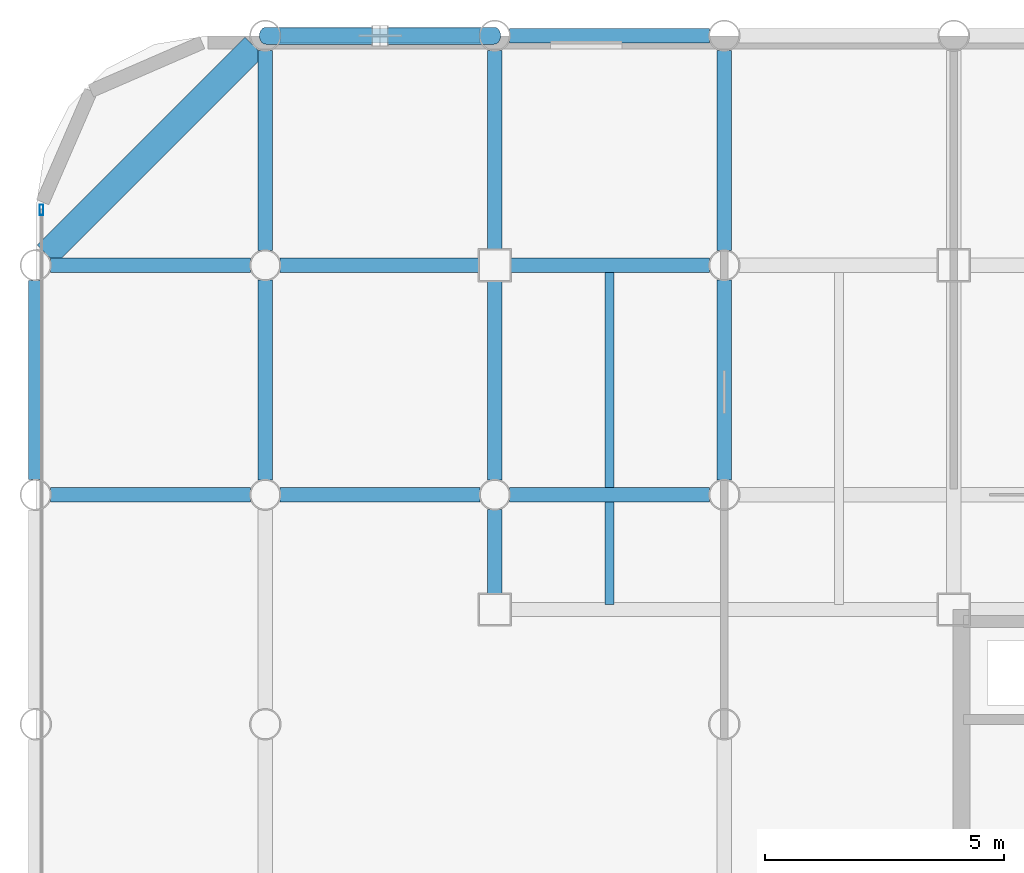
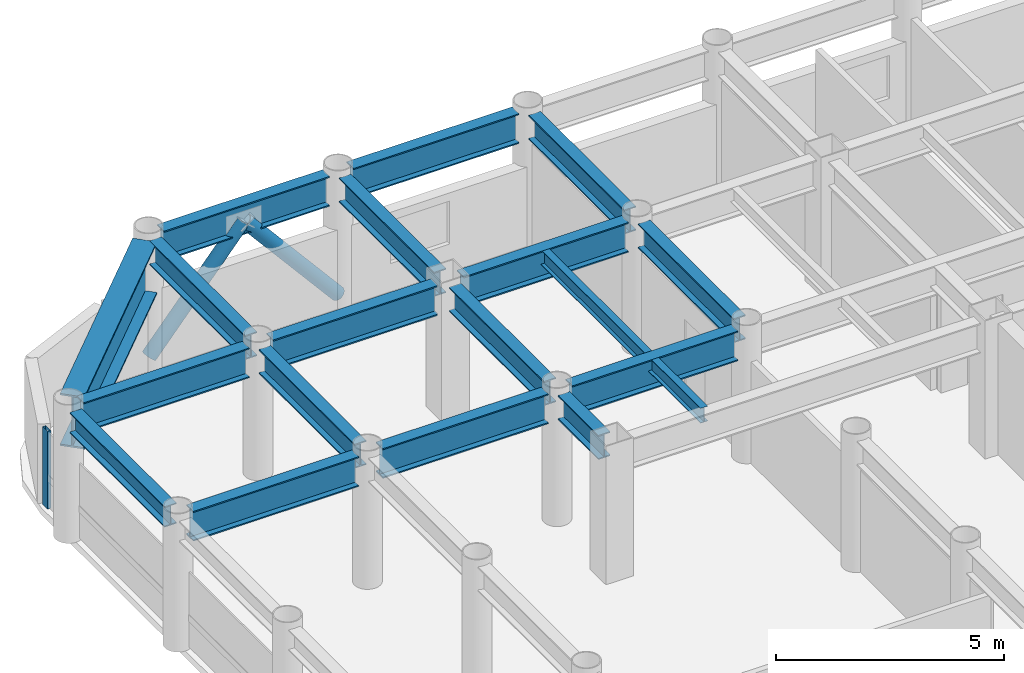
# One storey, part 9 of 19: 18 beams, 3 members, 1 element without a shape of its own.
"""IFC4 building model written with IfcOpenShell, lengths in metres."""

from ifc_helpers import new_model, si_unit, direction, frame, origin, origin_2d, place, context, subcontext, project, spatial, hollow_rectangle, hollow_circle, i_section, extrude, material, layer, layer_set, material_profile, profile_set, type_object, element, aggregate, save


model = new_model("IFC4")

# Units and contexts
model_context = context("Model", 3, precision=1e-05, world=origin(), true_north=direction((0.0, 1.0)))
body_context = subcontext(model_context, "Body", "Model", "MODEL_VIEW")
ifc_project = project(units=[si_unit("LENGTHUNIT", "METRE"), si_unit("AREAUNIT", "SQUARE_METRE"), si_unit("VOLUMEUNIT", "CUBIC_METRE"), si_unit("PLANEANGLEUNIT", "RADIAN"), si_unit("MASSUNIT", "GRAM", prefix="KILO")], contexts=[model_context])

# Site, building, storey
site_placement = place(None, origin())
site = spatial("IfcSite", under=ifc_project, at=site_placement, CompositionType="ELEMENT")
building_placement = place(site_placement, origin())
building = spatial("IfcBuilding", under=site, at=building_placement, Name="Kallvorn Hotel Tower", CompositionType="ELEMENT")
storey_placement = place(building_placement, frame((0.0, 0.0, 169.199951171875)))
storey = spatial("IfcBuildingStorey", under=building, at=storey_placement, Name="L42", CompositionType="ELEMENT", Elevation=169.199951171875)

# Beams
ifc_material_1 = material(Name="Structural steel S355JR", Category="steel")
ifc_material_profile_1 = material_profile(ifc_material_1, i_section(OverallWidth=0.300048828125, OverallDepth=0.550048828125, WebThickness=0.014892578125, FlangeThickness=0.029052734375, at=origin_2d()), Name="HE 550 B")
ifc_profile_set_1 = profile_set([ifc_material_profile_1], Name="Structural steel S355JR")
beam_type_1 = type_object("IfcBeamType", Name="BM_HE550B", PredefinedType="SPANDREL", material=ifc_profile_set_1)
beam_1_placement = place(storey_placement, frame((-33.60009765625, 9.919921875, 3.2451171875), z_axis=(0.0, 1.0, 0.0), x_axis=(-1.0, 0.0, 0.0)))
element("IfcBeam", 1, at=beam_1_placement, inside=storey, type_object=beam_type_1, Name="L43 Perimeter Spandrel 180", PredefinedType="SPANDREL", context=body_context, shape_type="SweptSolid", body=[
    extrude(i_section(OverallWidth=0.300048828125, OverallDepth=0.550048828125, WebThickness=0.014892578125, FlangeThickness=0.029052734375, at=origin_2d()), origin(), (0.0, 0.0, 1.0), 4.16015625),
])
ifc_material_2 = material(Name="Structural steel S355JR", Category="steel")
ifc_material_profile_2 = material_profile(ifc_material_2, i_section(OverallWidth=0.300048828125, OverallDepth=0.64990234375, WebThickness=0.01611328125, FlangeThickness=0.031005859375, at=origin_2d()), Name="HE 650 B")
ifc_profile_set_2 = profile_set([ifc_material_profile_2], Name="Structural steel S355JR")
beam_type_2 = type_object("IfcBeamType", Name="BM_HE650B", PredefinedType="BEAM", material=ifc_profile_set_2)
for number, where, z_axis, x_axis, name in (
    (2, (-28.800048828125, 9.905029296875, 3.195068359375), (0.0, 1.0, 0.0), (-1.0, 0.0, 0.0), "L43 Primary Y-Girder 80"),
    (3, (-28.800048828125, 14.705078125, 3.195068359375), (0.0, 1.0, 0.0), (-1.0, 0.0, 0.0), "L43 Primary Y-Girder 81"),
):
    element("IfcBeam", number, at=place(storey_placement, frame(where, z_axis=z_axis, x_axis=x_axis)), inside=storey, type_object=beam_type_2, Name=name, PredefinedType="BEAM", context=body_context, shape_type="SweptSolid", body=[
        extrude(i_section(OverallWidth=0.300048828125, OverallDepth=0.64990234375, WebThickness=0.01611328125, FlangeThickness=0.031005859375, at=origin_2d()), origin(), (0.0, 0.0, 1.0), 4.18994140625),
    ])
beam_2_placement = place(storey_placement, frame((-24.0, 7.52490234375, 3.195068359375), z_axis=(0.0, 1.0, 0.0), x_axis=(-1.0, 0.0, 0.0)))
element("IfcBeam", 4, at=beam_2_placement, inside=storey, type_object=beam_type_2, Name="L43 Primary Y-Girder 86", PredefinedType="BEAM", context=body_context, shape_type="SweptSolid", body=[
    extrude(i_section(OverallWidth=0.300048828125, OverallDepth=0.64990234375, WebThickness=0.01611328125, FlangeThickness=0.031005859375, at=origin_2d()), origin(), (0.0, 0.0, 1.0), 1.77001953125),
])
for number, where, z_axis, x_axis, name in (
    (5, (-24.0, 9.905029296875, 3.195068359375), (0.0, 1.0, 0.0), (-1.0, 0.0, 0.0), "L43 Primary Y-Girder 87"),
    (6, (-24.0, 14.72509765625, 3.195068359375), (0.0, 1.0, 0.0), (-1.0, 0.0, 0.0), "L43 Primary Y-Girder 88"),
):
    element("IfcBeam", number, at=place(storey_placement, frame(where, z_axis=z_axis, x_axis=x_axis)), inside=storey, type_object=beam_type_2, Name=name, PredefinedType="BEAM", context=body_context, shape_type="SweptSolid", body=[
        extrude(i_section(OverallWidth=0.300048828125, OverallDepth=0.64990234375, WebThickness=0.01611328125, FlangeThickness=0.031005859375, at=origin_2d()), origin(), (0.0, 0.0, 1.0), 4.169921875),
    ])
for number, where, z_axis, x_axis, name in (
    (7, (-19.199951171875, 9.905029296875, 3.195068359375), (0.0, 1.0, 0.0), (-1.0, 0.0, 0.0), "L43 Primary Y-Girder 96"),
    (8, (-19.199951171875, 14.705078125, 3.195068359375), (0.0, 1.0, 0.0), (-1.0, 0.0, 0.0), "L43 Primary Y-Girder 97"),
):
    element("IfcBeam", number, at=place(storey_placement, frame(where, z_axis=z_axis, x_axis=x_axis)), inside=storey, type_object=beam_type_2, Name=name, PredefinedType="BEAM", context=body_context, shape_type="SweptSolid", body=[
        extrude(i_section(OverallWidth=0.300048828125, OverallDepth=0.64990234375, WebThickness=0.01611328125, FlangeThickness=0.031005859375, at=origin_2d()), origin(), (0.0, 0.0, 1.0), 4.18994140625),
    ])
ifc_material_3 = material(Name="Structural steel S355JR", Category="steel")
ifc_material_profile_3 = material_profile(ifc_material_3, i_section(OverallWidth=0.300048828125, OverallDepth=0.800048828125, WebThickness=0.017578125, FlangeThickness=0.032958984375, at=origin_2d()), Name="HE 800 B")
ifc_profile_set_3 = profile_set([ifc_material_profile_3], Name="Structural steel S355JR")
beam_type_3 = type_object("IfcBeamType", Name="BM_HE800B", PredefinedType="BEAM", material=ifc_profile_set_3)
beam_3_placement = place(storey_placement, frame((-33.294921875, 9.60009765625, 3.1201171875), z_axis=(1.0, 0.0, 0.0), x_axis=(0.0, 1.0, 0.0)))
element("IfcBeam", 9, at=beam_3_placement, inside=storey, type_object=beam_type_3, Name="L43 Primary X-Girder 42", PredefinedType="BEAM", context=body_context, shape_type="SweptSolid", body=[
    extrude(i_section(OverallWidth=0.300048828125, OverallDepth=0.800048828125, WebThickness=0.017578125, FlangeThickness=0.032958984375, at=origin_2d()), origin(), (0.0, 0.0, 1.0), 4.18994140625),
])
for number, where, z_axis, x_axis, name in (
    (10, (-28.4951171875, 9.60009765625, 3.1201171875), (1.0, 0.0, 0.0), (0.0, 1.0, 0.0), "L43 Primary X-Girder 43"),
    (11, (-23.695068359375, 9.60009765625, 3.1201171875), (1.0, 0.0, 0.0), (0.0, 1.0, 0.0), "L43 Primary X-Girder 44"),
):
    element("IfcBeam", number, at=place(storey_placement, frame(where, z_axis=z_axis, x_axis=x_axis)), inside=storey, type_object=beam_type_3, Name=name, PredefinedType="BEAM", context=body_context, shape_type="SweptSolid", body=[
        extrude(i_section(OverallWidth=0.300048828125, OverallDepth=0.800048828125, WebThickness=0.017578125, FlangeThickness=0.032958984375, at=origin_2d()), origin(), (0.0, 0.0, 1.0), 4.190185546875),
    ])
beam_4_placement = place(storey_placement, frame((-33.294921875, 14.39990234375, 3.1201171875), z_axis=(1.0, 0.0, 0.0), x_axis=(0.0, 1.0, 0.0)))
element("IfcBeam", 12, at=beam_4_placement, inside=storey, type_object=beam_type_3, Name="L43 Primary X-Girder 51", PredefinedType="BEAM", context=body_context, shape_type="SweptSolid", body=[
    extrude(i_section(OverallWidth=0.300048828125, OverallDepth=0.800048828125, WebThickness=0.017578125, FlangeThickness=0.032958984375, at=origin_2d()), origin(), (0.0, 0.0, 1.0), 4.18994140625),
])
for number, where, z_axis, x_axis, name in (
    (13, (-28.4951171875, 14.39990234375, 3.1201171875), (1.0, 0.0, 0.0), (0.0, 1.0, 0.0), "L43 Primary X-Girder 52"),
    (14, (-23.675048828125, 14.39990234375, 3.1201171875), (1.0, 0.0, 0.0), (0.0, 1.0, 0.0), "L43 Primary X-Girder 53"),
):
    element("IfcBeam", number, at=place(storey_placement, frame(where, z_axis=z_axis, x_axis=x_axis)), inside=storey, type_object=beam_type_3, Name=name, PredefinedType="BEAM", context=body_context, shape_type="SweptSolid", body=[
        extrude(i_section(OverallWidth=0.300048828125, OverallDepth=0.800048828125, WebThickness=0.017578125, FlangeThickness=0.032958984375, at=origin_2d()), origin(), (0.0, 0.0, 1.0), 4.170166015625),
    ])
for number, where, z_axis, x_axis, name in (
    (15, (-28.4951171875, 19.199951171875, 3.1201171875), (1.0, 0.0, 0.0), (0.0, 1.0, 0.0), "L43 Primary X-Girder 61"),
    (16, (-23.695068359375, 19.199951171875, 3.1201171875), (1.0, 0.0, 0.0), (0.0, 1.0, 0.0), "L43 Primary X-Girder 62"),
):
    element("IfcBeam", number, at=place(storey_placement, frame(where, z_axis=z_axis, x_axis=x_axis)), inside=storey, type_object=beam_type_3, Name=name, PredefinedType="BEAM", context=body_context, shape_type="SweptSolid", body=[
        extrude(i_section(OverallWidth=0.300048828125, OverallDepth=0.800048828125, WebThickness=0.017578125, FlangeThickness=0.032958984375, at=origin_2d()), origin(), (0.0, 0.0, 1.0), 4.190185546875),
    ])
ifc_material_4 = material(Name="Structural steel S355JR", Category="steel")
ifc_material_profile_4 = material_profile(ifc_material_4, i_section(OverallWidth=0.179931640625, OverallDepth=0.39990234375, WebThickness=0.008544921875, FlangeThickness=0.013427734375, at=origin_2d()), Name="IPE 400")
ifc_profile_set_4 = profile_set([ifc_material_profile_4], Name="Structural steel S355JR")
beam_type_4 = type_object("IfcBeamType", Name="BM_IPE400", PredefinedType="JOIST", material=ifc_profile_set_4)
beam_5_placement = place(storey_placement, frame((-21.60009765625, 7.300048828125, 3.320068359375), z_axis=(0.0, 1.0, 0.0), x_axis=(-1.0, 0.0, 0.0)))
element("IfcBeam", 17, at=beam_5_placement, inside=storey, type_object=beam_type_4, Name="L43 Secondary Composite Joist 193", PredefinedType="JOIST", context=body_context, shape_type="SweptSolid", body=[
    extrude(i_section(OverallWidth=0.179931640625, OverallDepth=0.39990234375, WebThickness=0.008544921875, FlangeThickness=0.013427734375, at=origin_2d()), origin(), (0.0, 0.0, 1.0), 7.0),
])
ifc_material_5 = material(Name="Structural steel S355JR", Category="steel")
ifc_material_profile_5 = material_profile(ifc_material_5, i_section(OverallWidth=0.550048828125, OverallDepth=1.39990234375, WebThickness=0.02490234375, FlangeThickness=0.044921875, at=origin_2d()), Name="PG 1400x550x25x45")
ifc_profile_set_5 = profile_set([ifc_material_profile_5], Name="Structural steel S355JR")
beam_type_5 = type_object("IfcBeamType", Name="BM_PG_1400", PredefinedType="BEAM", material=ifc_profile_set_5)
beam_6_placement = place(storey_placement, frame((-33.373779296875, 14.626220703125, 2.820068359375), z_axis=(0.707106781187, 0.707106781187, 0.0), x_axis=(-0.707106781187, 0.707106781187, 0.0)))
element("IfcBeam", 18, at=beam_6_placement, inside=storey, type_object=beam_type_5, Name="L43 Rounded Corner Tie Beam 190", PredefinedType="BEAM", context=body_context, shape_type="SweptSolid", body=[
    extrude(i_section(OverallWidth=0.550048828125, OverallDepth=1.39990234375, WebThickness=0.02490234375, FlangeThickness=0.044921875, at=origin_2d()), origin(), (0.0, 0.0, 1.0), 6.148193359375),
])

# Curtain wall, member
ifc_material_6 = material(Name="Thermally broken black-anodised aluminium AA 6063-T6", Category="aluminium")
ifc_layer = layer(ifc_material_6, 0.2099609375)
ifc_layer_set = layer_set([ifc_layer], Name="CW_SYS_4_HOTEL_MID")
curtain_wall_type = type_object("IfcCurtainWallType", Name="CW_SYS_4_HOTEL_MID", PredefinedType="USERDEFINED", material=ifc_layer_set)
curtain_wall_placement = place(storey_placement, origin())
curtain_wall = element("IfcCurtainWall", 19, at=curtain_wall_placement, inside=storey, type_object=curtain_wall_type, Name="L42 Dark-Glass Curtain Wall CW-L42-WN", ObjectType="UNITISED CURTAIN WALL", PredefinedType="USERDEFINED")
ifc_material_7 = material(Name="Thermally broken black-anodised aluminium AA 6063-T6", Category="aluminium")
ifc_material_profile_6 = material_profile(ifc_material_7, hollow_rectangle(XDim=0.080078125, YDim=0.219970703125, WallThickness=0.0048828125, at=origin_2d()), Name="MUL 220x80")
ifc_profile_set_6 = profile_set([ifc_material_profile_6], Name="Thermally broken black-anodised aluminium AA 6063-T6")
member_type_1 = type_object("IfcMemberType", Name="CW_MULLION_220x80", PredefinedType="MULLION", material=ifc_profile_set_6)
member_placement = place(storey_placement, frame((-33.47998046875, 15.56005859375, 0.02001953125), z_axis=(0.0, 0.0, 1.0), x_axis=(1.0, 0.0, 0.0)))
member = element("IfcMember", 20, at=member_placement, type_object=member_type_1, Name="CW-L42-WN Mullion 01", PredefinedType="MULLION", context=body_context, shape_type="SweptSolid", body=[
    extrude(hollow_rectangle(XDim=0.080078125, YDim=0.219970703125, WallThickness=0.0048828125, at=origin_2d()), origin(), (0.0, 0.0, 1.0), 2.080078125),
])
aggregate(curtain_wall, [member])

# Members
ifc_material_8 = material(Name="Structural steel S355J2H", Category="steel")
ifc_material_profile_7 = material_profile(ifc_material_8, hollow_circle(Radius=0.177734375, WallThickness=0.01416015625, at=origin_2d()), Name="CHS 355.6x14.2")
ifc_profile_set_7 = profile_set([ifc_material_profile_7], Name="Structural steel S355J2H")
member_type_2 = type_object("IfcMemberType", Name="MBR_EXO_CHS355", PredefinedType="BRACE", material=ifc_profile_set_7)
for number, where, z_axis, x_axis, name in (
    (21, (-28.787109375, 19.199951171875, 0.1953125), (0.646833296797, 0.0, 0.762631422218), (0.0, 1.0, 0.0), "L42 Exoskeleton K-Brace N1A"),
    (22, (-24.012939453125, 19.199951171875, 0.1953125), (-0.646833296797, 0.0, 0.762631422218), (0.0, -1.0, 0.0), "L42 Exoskeleton K-Brace N1B"),
):
    element("IfcMember", number, at=place(storey_placement, frame(where, z_axis=z_axis, x_axis=x_axis)), inside=storey, type_object=member_type_2, Name=name, PredefinedType="BRACE", context=body_context, shape_type="SweptSolid", body=[
        extrude(hollow_circle(Radius=0.177734375, WallThickness=0.01416015625, at=origin_2d()), origin(), (0.0, 0.0, 1.0), 3.670654296875),
    ])

save(model, "model.ifc")
